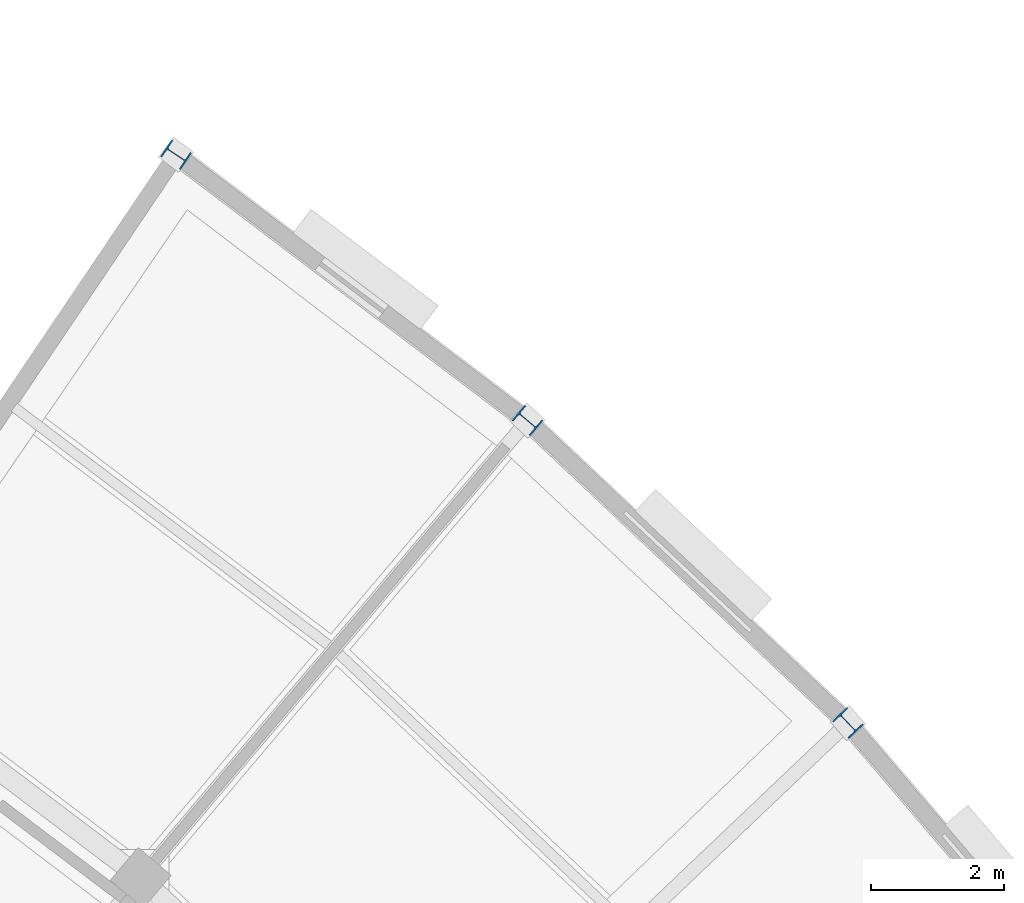
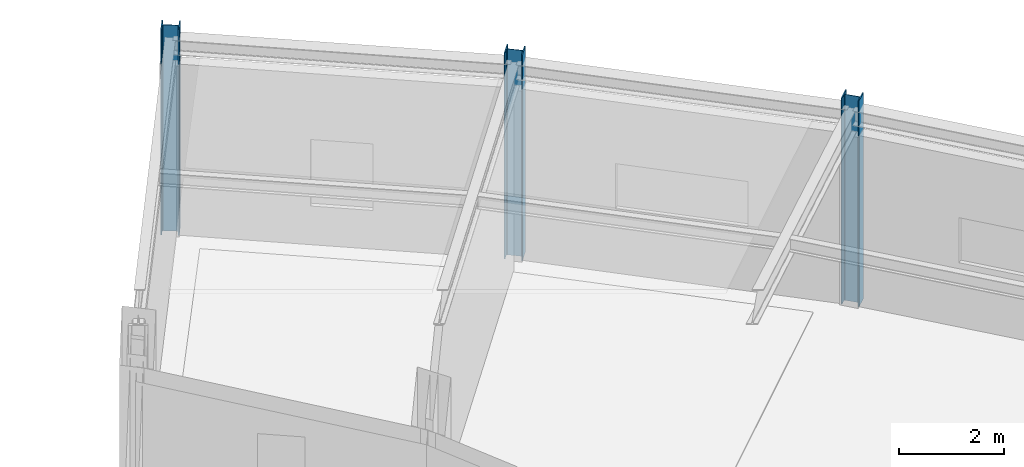
# One storey, part 15 of 108: 3 columns.
"""IFC4 building model written with IfcOpenShell, lengths in metres."""

from ifc_helpers import new_model, si_unit, direction, frame, origin, origin_2d, place, context, subcontext, project, spatial, i_section, extrude, material, material_profile, profile_set, type_object, element, save


model = new_model("IFC4")

# Units and contexts
model_context = context("Model", 3, precision=1e-05, world=origin(), true_north=direction((0.0, 1.0)))
body_context = subcontext(model_context, "Body", "Model", "MODEL_VIEW")
ifc_project = project(units=[si_unit("LENGTHUNIT", "METRE"), si_unit("AREAUNIT", "SQUARE_METRE"), si_unit("VOLUMEUNIT", "CUBIC_METRE"), si_unit("PLANEANGLEUNIT", "RADIAN"), si_unit("MASSUNIT", "GRAM", prefix="KILO")], contexts=[model_context])

# Site, building, storey
site_placement = place(None, origin())
site = spatial("IfcSite", under=ifc_project, at=site_placement, CompositionType="ELEMENT")
building_placement = place(site_placement, origin())
building = spatial("IfcBuilding", under=site, at=building_placement, Name="Tarnveldt Headland Concert Hall", CompositionType="ELEMENT")
storey_placement = place(building_placement, frame((0.0, 0.0, 9.60009765625)))
storey = spatial("IfcBuildingStorey", under=building, at=storey_placement, Name="L02", CompositionType="ELEMENT", Elevation=9.60009765625)

# Columns
ifc_material = material(Name="Steel S355", Category="steel")
ifc_material_profile = material_profile(ifc_material, i_section(OverallWidth=0.300048828125, OverallDepth=0.360107421875, WebThickness=0.012451171875, FlangeThickness=0.0224609375, FilletRadius=0.027099609375, at=origin_2d()), Name="HEB360", Category="steel")
ifc_profile_set = profile_set([ifc_material_profile], Name="Steel S355")
column_type = type_object("IfcColumnType", Name="SC-HEB360", PredefinedType="COLUMN", material=ifc_profile_set)
for number, where, z_axis, x_axis, name in (
    (1, (161.70703125, 102.032470703125, 0.0), (0.0, 0.0, 1.0), (0.724653130187, 0.689113808387, 0.0), "Column V3C16OUT L02"),
    (2, (156.89111328125, 106.576416015625, 0.0), (0.0, 0.0, 1.0), (0.645724263505, 0.763570674869, 0.0), "Column V3C17OUT L02"),
    (3, (151.61083984375, 110.5712890625, 0.0), (0.0, 0.0, 1.0), (0.559192903471, 0.829037572555, 0.0), "Column V3C18OUT L02"),
):
    element("IfcColumn", number, at=place(storey_placement, frame(where, z_axis=z_axis, x_axis=x_axis)), inside=storey, type_object=column_type, Name=name, PredefinedType="COLUMN", context=body_context, shape_type="SweptSolid", body=[
        extrude(i_section(OverallWidth=0.300048828125, OverallDepth=0.360107421875, WebThickness=0.012451171875, FlangeThickness=0.0224609375, FilletRadius=0.027099609375, at=origin_2d()), origin(), (0.0, 0.0, 1.0), 4.7998046875),
    ])

save(model, "model.ifc")
